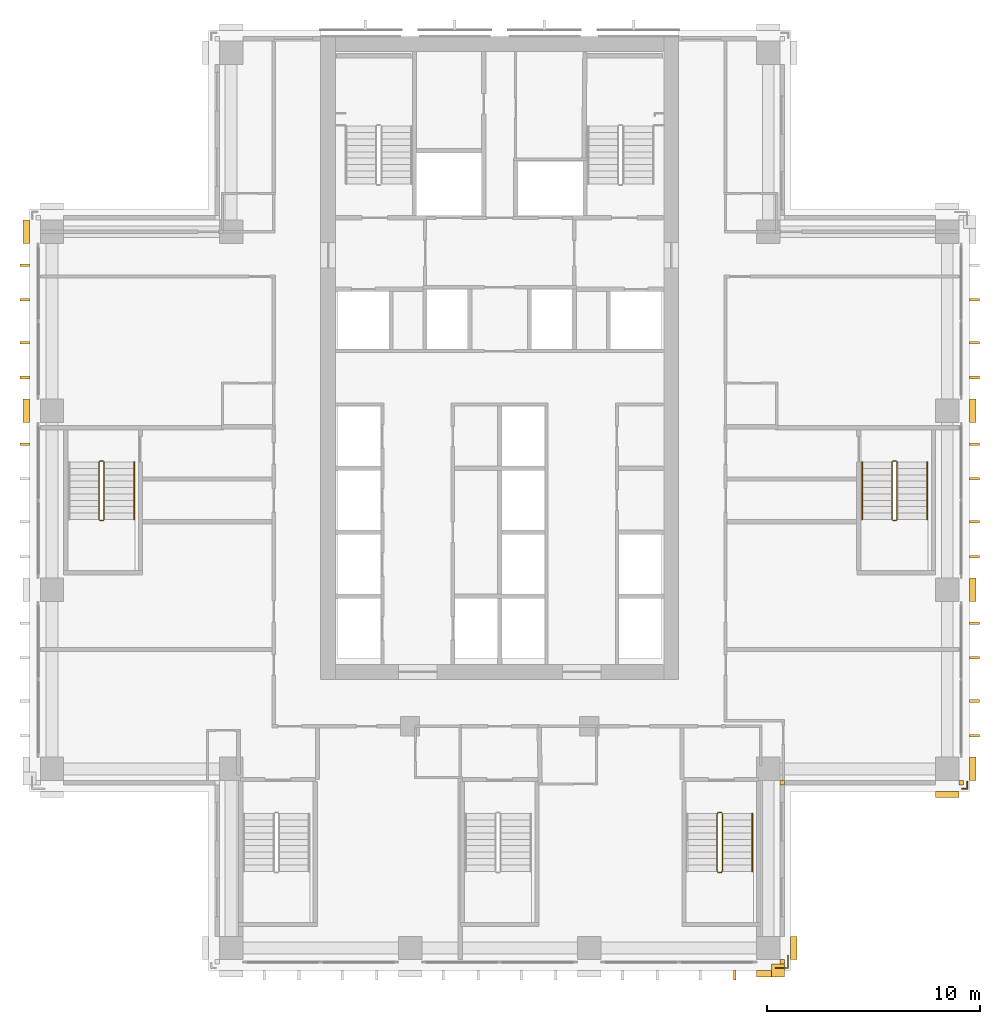
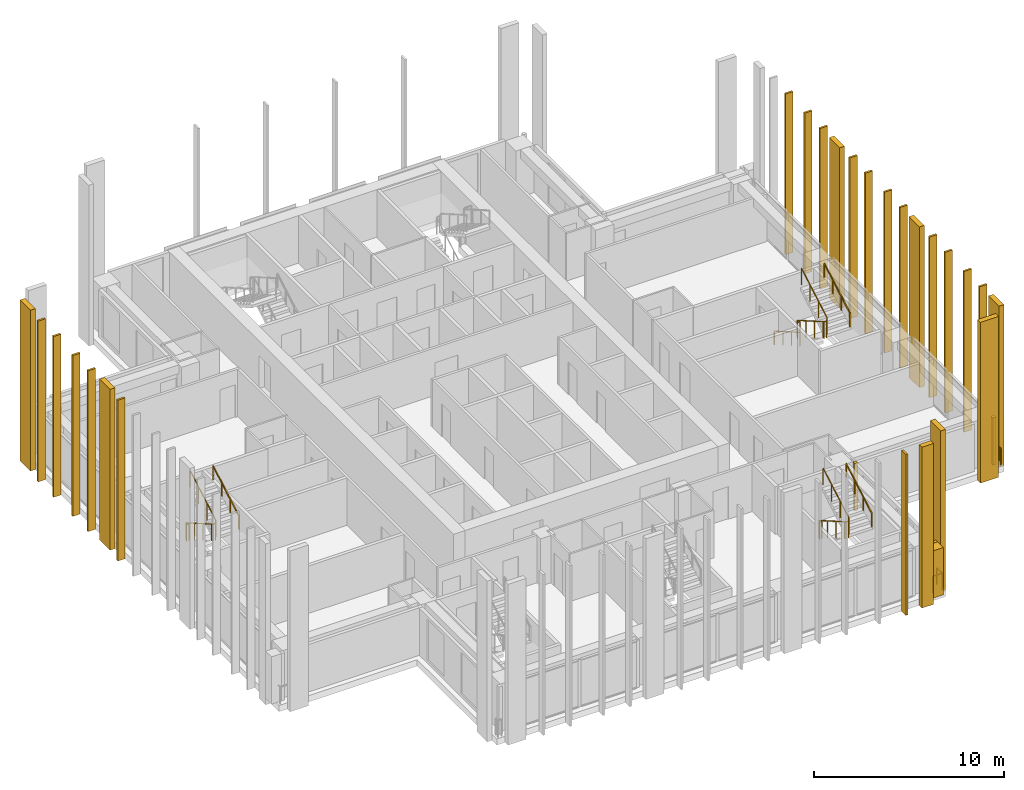
# One storey, part 15 of 16: 29 coverings, 9 railings.
"""IFC4 building model written with IfcOpenShell, lengths in metres."""

from ifc_helpers import new_model, si_unit, direction, frame, origin, origin_2d, place, context, subcontext, project, spatial, polyline, rectangle, outline, extrude, material, layer, layer_set, type_object, element, save


model = new_model("IFC4")

# Units and contexts
model_context = context("Model", 3, precision=1e-05, world=origin(), true_north=direction((0.0, 1.0)))
body_context = subcontext(model_context, "Body", "Model", "MODEL_VIEW")
ifc_project = project(units=[si_unit("LENGTHUNIT", "METRE"), si_unit("AREAUNIT", "SQUARE_METRE"), si_unit("VOLUMEUNIT", "CUBIC_METRE"), si_unit("PLANEANGLEUNIT", "RADIAN"), si_unit("MASSUNIT", "GRAM", prefix="KILO")], contexts=[model_context])

# Site, building, storey
site_placement = place(None, origin())
site = spatial("IfcSite", under=ifc_project, at=site_placement, CompositionType="ELEMENT")
building_placement = place(site_placement, origin())
building = spatial("IfcBuilding", under=site, at=building_placement, Name="Vermilion Ogive Tower", CompositionType="ELEMENT")
storey_placement = place(building_placement, frame((0.0, 0.0, 133.10009765625)))
storey = spatial("IfcBuildingStorey", under=building, at=storey_placement, Name="L33", CompositionType="ELEMENT", Elevation=133.10009765625)

# Coverings
ifc_material_1 = material(Name="Glazed ceramic screen")
ifc_layer = layer(ifc_material_1, 0.14990234375)
ifc_layer_set = layer_set([ifc_layer], Name="Ceramic solar screen fin")
covering_type_1 = type_object("IfcCoveringType", Name="Ceramic solar screen fin", PredefinedType="CLADDING", material=ifc_layer_set)
covering_1_placement = place(storey_placement, frame((0.0, 0.0, -0.400146484375)))
element("IfcCovering", 1, at=covering_1_placement, inside=storey, type_object=covering_type_1, Name="Solar screen blade S022", PredefinedType="CLADDING", context=body_context, shape_type="SweptSolid", body=[
    extrude(outline(polyline([(10.9775390625, -22.5), (11.097412109375, -22.5), (11.097412109375, -22.050048828125), (10.9775390625, -22.050048828125), (10.9775390625, -22.5)])), origin(), (0.0, 0.0, 1.0), 10.35009765625),
])
covering_2_placement = place(storey_placement, frame((0.0, 0.0, -0.400146484375)))
element("IfcCovering", 2, at=covering_2_placement, inside=storey, type_object=covering_type_1, Name="Solar screen blade E971", PredefinedType="CLADDING", context=body_context, shape_type="SweptSolid", body=[
    extrude(outline(polyline([(22.5, -11.097412109375), (22.5, -10.9775390625), (22.050048828125, -10.9775390625), (22.050048828125, -11.097412109375), (22.5, -11.097412109375)])), origin(), (0.0, 0.0, 1.0), 10.35009765625),
])
covering_3_placement = place(storey_placement, frame((0.0, 0.0, -0.400146484375)))
element("IfcCovering", 3, at=covering_3_placement, inside=storey, type_object=covering_type_1, Name="Solar screen blade E972", PredefinedType="CLADDING", context=body_context, shape_type="SweptSolid", body=[
    extrude(outline(polyline([(22.5, -9.472412109375), (22.5, -9.3525390625), (22.050048828125, -9.3525390625), (22.050048828125, -9.472412109375), (22.5, -9.472412109375)])), origin(), (0.0, 0.0, 1.0), 10.35009765625),
])
covering_4_placement = place(storey_placement, frame((0.0, 0.0, -0.400146484375)))
element("IfcCovering", 4, at=covering_4_placement, inside=storey, type_object=covering_type_1, Name="Solar screen blade E981", PredefinedType="CLADDING", context=body_context, shape_type="SweptSolid", body=[
    extrude(outline(polyline([(22.5, -7.447509765625), (22.5, -7.327392578125), (22.050048828125, -7.327392578125), (22.050048828125, -7.447509765625), (22.5, -7.447509765625)])), origin(), (0.0, 0.0, 1.0), 10.35009765625),
])
covering_5_placement = place(storey_placement, frame((0.0, 0.0, -0.400146484375)))
element("IfcCovering", 5, at=covering_5_placement, inside=storey, type_object=covering_type_1, Name="Solar screen blade E982", PredefinedType="CLADDING", context=body_context, shape_type="SweptSolid", body=[
    extrude(outline(polyline([(22.5, -5.822509765625), (22.5, -5.702392578125), (22.050048828125, -5.702392578125), (22.050048828125, -5.822509765625), (22.5, -5.822509765625)])), origin(), (0.0, 0.0, 1.0), 10.35009765625),
])
covering_6_placement = place(storey_placement, frame((0.0, 0.0, -0.400146484375)))
element("IfcCovering", 6, at=covering_6_placement, inside=storey, type_object=covering_type_1, Name="Solar screen blade E991", PredefinedType="CLADDING", context=body_context, shape_type="SweptSolid", body=[
    extrude(outline(polyline([(22.5, -2.697509765625), (22.5, -2.577392578125), (22.050048828125, -2.577392578125), (22.050048828125, -2.697509765625), (22.5, -2.697509765625)])), origin(), (0.0, 0.0, 1.0), 10.35009765625),
])
covering_7_placement = place(storey_placement, frame((0.0, 0.0, -0.400146484375)))
element("IfcCovering", 7, at=covering_7_placement, inside=storey, type_object=covering_type_1, Name="Solar screen blade E992", PredefinedType="CLADDING", context=body_context, shape_type="SweptSolid", body=[
    extrude(outline(polyline([(22.5, -1.072509765625), (22.5, -0.952392578125), (22.050048828125, -0.952392578125), (22.050048828125, -1.072509765625), (22.5, -1.072509765625)])), origin(), (0.0, 0.0, 1.0), 10.35009765625),
])
covering_8_placement = place(storey_placement, frame((0.0, 0.0, -0.400146484375)))
element("IfcCovering", 8, at=covering_8_placement, inside=storey, type_object=covering_type_1, Name="Solar screen blade E001", PredefinedType="CLADDING", context=body_context, shape_type="SweptSolid", body=[
    extrude(outline(polyline([(22.5, 0.952392578125), (22.5, 1.072509765625), (22.050048828125, 1.072509765625), (22.050048828125, 0.952392578125), (22.5, 0.952392578125)])), origin(), (0.0, 0.0, 1.0), 10.35009765625),
])
covering_9_placement = place(storey_placement, frame((0.0, 0.0, -0.400146484375)))
element("IfcCovering", 9, at=covering_9_placement, inside=storey, type_object=covering_type_1, Name="Solar screen blade E002", PredefinedType="CLADDING", context=body_context, shape_type="SweptSolid", body=[
    extrude(outline(polyline([(22.5, 2.577392578125), (22.5, 2.697509765625), (22.050048828125, 2.697509765625), (22.050048828125, 2.577392578125), (22.5, 2.577392578125)])), origin(), (0.0, 0.0, 1.0), 10.35009765625),
])
covering_10_placement = place(storey_placement, frame((0.0, 0.0, -0.400146484375)))
element("IfcCovering", 10, at=covering_10_placement, inside=storey, type_object=covering_type_1, Name="Solar screen blade E011", PredefinedType="CLADDING", context=body_context, shape_type="SweptSolid", body=[
    extrude(outline(polyline([(22.5, 5.702392578125), (22.5, 5.822509765625), (22.050048828125, 5.822509765625), (22.050048828125, 5.702392578125), (22.5, 5.702392578125)])), origin(), (0.0, 0.0, 1.0), 10.35009765625),
])
covering_11_placement = place(storey_placement, frame((0.0, 0.0, -0.400146484375)))
element("IfcCovering", 11, at=covering_11_placement, inside=storey, type_object=covering_type_1, Name="Solar screen blade E012", PredefinedType="CLADDING", context=body_context, shape_type="SweptSolid", body=[
    extrude(outline(polyline([(22.5, 7.327392578125), (22.5, 7.447509765625), (22.050048828125, 7.447509765625), (22.050048828125, 7.327392578125), (22.5, 7.327392578125)])), origin(), (0.0, 0.0, 1.0), 10.35009765625),
])
covering_12_placement = place(storey_placement, frame((0.0, 0.0, -0.400146484375)))
element("IfcCovering", 12, at=covering_12_placement, inside=storey, type_object=covering_type_1, Name="Solar screen blade E021", PredefinedType="CLADDING", context=body_context, shape_type="SweptSolid", body=[
    extrude(outline(polyline([(22.5, 9.3525390625), (22.5, 9.472412109375), (22.050048828125, 9.472412109375), (22.050048828125, 9.3525390625), (22.5, 9.3525390625)])), origin(), (0.0, 0.0, 1.0), 10.35009765625),
])
covering_13_placement = place(storey_placement, frame((0.0, 0.0, -0.400146484375)))
element("IfcCovering", 13, at=covering_13_placement, inside=storey, type_object=covering_type_1, Name="Solar screen blade W011", PredefinedType="CLADDING", context=body_context, shape_type="SweptSolid", body=[
    extrude(outline(polyline([(-22.5, 7.447509765625), (-22.5, 7.327392578125), (-22.050048828125, 7.327392578125), (-22.050048828125, 7.447509765625), (-22.5, 7.447509765625)])), origin(), (0.0, 0.0, 1.0), 10.35009765625),
])
covering_14_placement = place(storey_placement, frame((0.0, 0.0, -0.400146484375)))
element("IfcCovering", 14, at=covering_14_placement, inside=storey, type_object=covering_type_1, Name="Solar screen blade W012", PredefinedType="CLADDING", context=body_context, shape_type="SweptSolid", body=[
    extrude(outline(polyline([(-22.5, 5.822509765625), (-22.5, 5.702392578125), (-22.050048828125, 5.702392578125), (-22.050048828125, 5.822509765625), (-22.5, 5.822509765625)])), origin(), (0.0, 0.0, 1.0), 10.35009765625),
])
covering_15_placement = place(storey_placement, frame((0.0, 0.0, -0.400146484375)))
element("IfcCovering", 15, at=covering_15_placement, inside=storey, type_object=covering_type_1, Name="Solar screen blade W021", PredefinedType="CLADDING", context=body_context, shape_type="SweptSolid", body=[
    extrude(outline(polyline([(-22.5, 11.097412109375), (-22.5, 10.9775390625), (-22.050048828125, 10.9775390625), (-22.050048828125, 11.097412109375), (-22.5, 11.097412109375)])), origin(), (0.0, 0.0, 1.0), 10.35009765625),
])
covering_16_placement = place(storey_placement, frame((0.0, 0.0, -0.400146484375)))
element("IfcCovering", 16, at=covering_16_placement, inside=storey, type_object=covering_type_1, Name="Solar screen blade W022", PredefinedType="CLADDING", context=body_context, shape_type="SweptSolid", body=[
    extrude(outline(polyline([(-22.5, 9.472412109375), (-22.5, 9.3525390625), (-22.050048828125, 9.3525390625), (-22.050048828125, 9.472412109375), (-22.5, 9.472412109375)])), origin(), (0.0, 0.0, 1.0), 10.35009765625),
])
covering_17_placement = place(storey_placement, frame((0.0, 0.0, -0.400146484375)))
element("IfcCovering", 17, at=covering_17_placement, inside=storey, type_object=covering_type_1, Name="Solar screen blade W001", PredefinedType="CLADDING", context=body_context, shape_type="SweptSolid", body=[
    extrude(outline(polyline([(-22.5, 2.697509765625), (-22.5, 2.577392578125), (-22.050048828125, 2.577392578125), (-22.050048828125, 2.697509765625), (-22.5, 2.697509765625)])), origin(), (0.0, 0.0, 1.0), 10.35009765625),
])

# Railings
ifc_material_2 = material(Name="Stainless steel", Category="steel")
railing_type_1 = type_object("IfcRailingType", Name="Slab edge guard SG1", PredefinedType="GUARDRAIL", material=ifc_material_2)
railing_1_placement = place(storey_placement, frame((21.929931640625, -13.199951171875, 0.0)))
element("IfcRailing", 18, at=railing_1_placement, inside=storey, type_object=railing_type_1, Name="L33 slab corner guard", PredefinedType="GUARDRAIL", context=body_context, shape_type="SweptSolid", body=[
    extrude(rectangle(XDim=0.050048828125, YDim=0.050048828125, at=origin_2d()), frame((0.0, 0.0, 1.0751953125), z_axis=(0.0, -1.0, 0.0), x_axis=(1.0, 0.0, 0.0)), (0.0, 0.0, 1.0), 0.330078125),
    extrude(rectangle(XDim=0.050048828125, YDim=0.050048828125, at=origin_2d()), frame((0.0, -0.330078125, 1.0751953125), z_axis=(-1.0, 0.0, 0.0), x_axis=(0.0, -1.0, 0.0)), (0.0, 0.0, 1.0), 0.22998046875),
    extrude(rectangle(XDim=0.050048828125, YDim=0.050048828125, at=origin_2d()), origin(), (0.0, 0.0, 1.0), 1.050048828125),
    extrude(rectangle(XDim=0.050048828125, YDim=0.050048828125, at=origin_2d()), frame((0.0, -0.330078125, 0.0)), (0.0, 0.0, 1.0), 1.050048828125),
    extrude(rectangle(XDim=0.050048828125, YDim=0.050048828125, at=origin_2d()), frame((-0.22998046875, -0.330078125, 0.0)), (0.0, 0.0, 1.0), 1.050048828125),
])
railing_2_placement = place(storey_placement, frame((12.949951171875, -21.929931640625, 0.0)))
element("IfcRailing", 19, at=railing_2_placement, inside=storey, type_object=railing_type_1, Name="L33 slab corner guard", PredefinedType="GUARDRAIL", context=body_context, shape_type="SweptSolid", body=[
    extrude(rectangle(XDim=0.050048828125, YDim=0.050048828125, at=origin_2d()), frame((0.0, 0.0, 1.0751953125), z_axis=(1.0, 0.0, 0.0), x_axis=(0.0, 1.0, 0.0)), (0.0, 0.0, 1.0), 0.580078125),
    extrude(rectangle(XDim=0.050048828125, YDim=0.050048828125, at=origin_2d()), frame((0.580078125, 0.0, 1.0751953125), z_axis=(0.0, 1.0, 0.0), x_axis=(-1.0, 0.0, 0.0)), (0.0, 0.0, 1.0), 0.579833984375),
    extrude(rectangle(XDim=0.050048828125, YDim=0.050048828125, at=origin_2d()), origin(), (0.0, 0.0, 1.0), 1.050048828125),
    extrude(rectangle(XDim=0.050048828125, YDim=0.050048828125, at=origin_2d()), frame((0.580078125, 0.0, 0.0)), (0.0, 0.0, 1.0), 1.050048828125),
    extrude(rectangle(XDim=0.050048828125, YDim=0.050048828125, at=origin_2d()), frame((0.580078125, 0.579833984375, 0.0)), (0.0, 0.0, 1.0), 1.050048828125),
])
ifc_material_3 = material(Name="Steel S355 painted", Category="steel")
railing_type_2 = type_object("IfcRailingType", Name="Stair guard 1100", PredefinedType="GUARDRAIL", material=ifc_material_3)
railing_3_placement = place(storey_placement, frame((10.39990234375, -14.64990234375, 0.0)))
element("IfcRailing", 20, at=railing_3_placement, inside=storey, type_object=railing_type_2, Name="L33 ST5 stair guard 4", PredefinedType="GUARDRAIL", context=body_context, shape_type="SweptSolid", body=[
    extrude(rectangle(XDim=0.048095703125, YDim=0.048095703125, at=origin_2d()), frame((0.0, 0.0, 1.076171875), z_axis=(-1.0, 0.0, 0.0), x_axis=(0.0, -1.0, 0.0)), (0.0, 0.0, 1.0), 0.14990234375),
    extrude(rectangle(XDim=0.048095703125, YDim=0.048095703125, at=origin_2d()), frame((-0.14990234375, 0.0, 1.076171875), z_axis=(-0.268603158521, -0.268603158521, 0.925043072762), x_axis=(0.707106781187, -0.707106781187, 0.0)), (0.0, 0.0, 1.0), 0.186279296875),
    extrude(rectangle(XDim=0.048095703125, YDim=0.048095703125, at=origin_2d()), frame((-0.199951171875, -0.050048828125, 1.24853515625), z_axis=(0.0, -0.866903762492, 0.498475542607), x_axis=(1.0, 0.0, 0.0)), (0.0, 0.0, 1.0), 3.114501953125),
    extrude(rectangle(XDim=0.048095703125, YDim=0.048095703125, at=origin_2d()), frame((-0.199951171875, -2.75, 2.80078125), z_axis=(0.707106781187, -0.707106781187, 0.0), x_axis=(0.707106781187, 0.707106781187, 0.0)), (0.0, 0.0, 1.0), 0.07080078125),
    extrude(rectangle(XDim=0.048095703125, YDim=0.048095703125, at=origin_2d()), frame((-0.14990234375, -2.800048828125, 2.80078125), z_axis=(1.0, 0.0, 0.0), x_axis=(0.0, 1.0, 0.0)), (0.0, 0.0, 1.0), 0.14990234375),
    extrude(rectangle(XDim=0.048095703125, YDim=0.048095703125, at=origin_2d()), frame((0.0, -2.800048828125, 2.80078125), z_axis=(0.268277960024, 0.268277960024, 0.925231793839), x_axis=(-0.707106781187, 0.707106781187, 0.0)), (0.0, 0.0, 1.0), 0.1865234375),
    extrude(rectangle(XDim=0.048095703125, YDim=0.048095703125, at=origin_2d()), frame((0.050048828125, -2.75, 2.9736328125), z_axis=(0.0, 0.866903762492, 0.498475542607), x_axis=(-1.0, 0.0, 0.0)), (0.0, 0.0, 1.0), 3.114501953125),
    extrude(rectangle(XDim=0.0419921875, YDim=0.0419921875, at=origin_2d()), origin(), (0.0, 0.0, 1.0), 1.052001953125),
    extrude(rectangle(XDim=0.0419921875, YDim=0.0419921875, at=origin_2d()), frame((-0.14990234375, 0.0, 0.0)), (0.0, 0.0, 1.0), 1.052001953125),
    extrude(rectangle(XDim=0.0419921875, YDim=0.0419921875, at=origin_2d()), frame((-0.199951171875, -0.050048828125, 0.17236328125)), (0.0, 0.0, 1.0), 1.052001953125),
    extrude(rectangle(XDim=0.0419921875, YDim=0.0419921875, at=origin_2d()), frame((-0.199951171875, -0.949951171875, 0.68994140625)), (0.0, 0.0, 1.0), 1.052001953125),
    extrude(rectangle(XDim=0.0419921875, YDim=0.0419921875, at=origin_2d()), frame((-0.199951171875, -1.85009765625, 1.207275390625)), (0.0, 0.0, 1.0), 1.052001953125),
    extrude(rectangle(XDim=0.0419921875, YDim=0.0419921875, at=origin_2d()), frame((-0.199951171875, -2.75, 1.724853515625)), (0.0, 0.0, 1.0), 1.052001953125),
    extrude(rectangle(XDim=0.0419921875, YDim=0.0419921875, at=origin_2d()), frame((-0.14990234375, -2.800048828125, 1.724853515625)), (0.0, 0.0, 1.0), 1.052001953125),
    extrude(rectangle(XDim=0.0419921875, YDim=0.0419921875, at=origin_2d()), frame((0.0, -2.800048828125, 1.724853515625)), (0.0, 0.0, 1.0), 1.052001953125),
    extrude(rectangle(XDim=0.0419921875, YDim=0.0419921875, at=origin_2d()), frame((0.050048828125, -2.75, 1.8974609375)), (0.0, 0.0, 1.0), 1.052001953125),
    extrude(rectangle(XDim=0.0419921875, YDim=0.0419921875, at=origin_2d()), frame((0.050048828125, -1.85009765625, 2.4150390625)), (0.0, 0.0, 1.0), 1.052001953125),
    extrude(rectangle(XDim=0.0419921875, YDim=0.0419921875, at=origin_2d()), frame((0.050048828125, -0.949951171875, 2.932373046875)), (0.0, 0.0, 1.0), 1.052001953125),
    extrude(rectangle(XDim=0.0419921875, YDim=0.0419921875, at=origin_2d()), frame((0.050048828125, -0.050048828125, 3.449951171875)), (0.0, 0.0, 1.0), 1.052001953125),
])
railing_4_placement = place(storey_placement, frame((18.60009765625, 1.85009765625, 0.0)))
element("IfcRailing", 21, at=railing_4_placement, inside=storey, type_object=railing_type_2, Name="L33 ST8 stair guard 4", PredefinedType="GUARDRAIL", context=body_context, shape_type="SweptSolid", body=[
    extrude(rectangle(XDim=0.048095703125, YDim=0.048095703125, at=origin_2d()), frame((0.0, 0.0, 1.076171875), z_axis=(-1.0, 0.0, 0.0), x_axis=(0.0, -1.0, 0.0)), (0.0, 0.0, 1.0), 0.150146484375),
    extrude(rectangle(XDim=0.048095703125, YDim=0.048095703125, at=origin_2d()), frame((-0.150146484375, 0.0, 1.076171875), z_axis=(-0.268603158521, -0.268603158521, 0.925043072762), x_axis=(0.707106781187, -0.707106781187, 0.0)), (0.0, 0.0, 1.0), 0.186279296875),
    extrude(rectangle(XDim=0.048095703125, YDim=0.048095703125, at=origin_2d()), frame((-0.2001953125, -0.050048828125, 1.24853515625), z_axis=(0.0, -0.866903762492, 0.498475542607), x_axis=(1.0, 0.0, 0.0)), (0.0, 0.0, 1.0), 3.114501953125),
    extrude(rectangle(XDim=0.048095703125, YDim=0.048095703125, at=origin_2d()), frame((-0.2001953125, -2.75, 2.80078125), z_axis=(0.707106781187, -0.707106781187, 0.0), x_axis=(0.707106781187, 0.707106781187, 0.0)), (0.0, 0.0, 1.0), 0.07080078125),
    extrude(rectangle(XDim=0.048095703125, YDim=0.048095703125, at=origin_2d()), frame((-0.150146484375, -2.800048828125, 2.80078125), z_axis=(1.0, 0.0, 0.0), x_axis=(0.0, 1.0, 0.0)), (0.0, 0.0, 1.0), 0.150146484375),
    extrude(rectangle(XDim=0.048095703125, YDim=0.048095703125, at=origin_2d()), frame((0.0, -2.800048828125, 2.80078125), z_axis=(0.267062837333, 0.268371968888, 0.925556009775), x_axis=(-0.708833529934, 0.705375805398, 0.0)), (0.0, 0.0, 1.0), 0.1865234375),
    extrude(rectangle(XDim=0.048095703125, YDim=0.048095703125, at=origin_2d()), frame((0.0498046875, -2.75, 2.9736328125), z_axis=(0.0, 0.866903762492, 0.498475542607), x_axis=(-1.0, 0.0, 0.0)), (0.0, 0.0, 1.0), 3.114501953125),
    extrude(rectangle(XDim=0.0419921875, YDim=0.0419921875, at=origin_2d()), origin(), (0.0, 0.0, 1.0), 1.052001953125),
    extrude(rectangle(XDim=0.0419921875, YDim=0.0419921875, at=origin_2d()), frame((-0.150146484375, 0.0, 0.0)), (0.0, 0.0, 1.0), 1.052001953125),
    extrude(rectangle(XDim=0.0419921875, YDim=0.0419921875, at=origin_2d()), frame((-0.2001953125, -0.050048828125, 0.17236328125)), (0.0, 0.0, 1.0), 1.052001953125),
    extrude(rectangle(XDim=0.0419921875, YDim=0.0419921875, at=origin_2d()), frame((-0.2001953125, -0.949951171875, 0.68994140625)), (0.0, 0.0, 1.0), 1.052001953125),
    extrude(rectangle(XDim=0.0419921875, YDim=0.0419921875, at=origin_2d()), frame((-0.2001953125, -1.85009765625, 1.207275390625)), (0.0, 0.0, 1.0), 1.052001953125),
    extrude(rectangle(XDim=0.0419921875, YDim=0.0419921875, at=origin_2d()), frame((-0.2001953125, -2.75, 1.724853515625)), (0.0, 0.0, 1.0), 1.052001953125),
    extrude(rectangle(XDim=0.0419921875, YDim=0.0419921875, at=origin_2d()), frame((-0.150146484375, -2.800048828125, 1.724853515625)), (0.0, 0.0, 1.0), 1.052001953125),
    extrude(rectangle(XDim=0.0419921875, YDim=0.0419921875, at=origin_2d()), frame((0.0, -2.800048828125, 1.724853515625)), (0.0, 0.0, 1.0), 1.052001953125),
    extrude(rectangle(XDim=0.0419921875, YDim=0.0419921875, at=origin_2d()), frame((0.0498046875, -2.75, 1.8974609375)), (0.0, 0.0, 1.0), 1.052001953125),
    extrude(rectangle(XDim=0.0419921875, YDim=0.0419921875, at=origin_2d()), frame((0.0498046875, -1.85009765625, 2.4150390625)), (0.0, 0.0, 1.0), 1.052001953125),
    extrude(rectangle(XDim=0.0419921875, YDim=0.0419921875, at=origin_2d()), frame((0.0498046875, -0.949951171875, 2.932373046875)), (0.0, 0.0, 1.0), 1.052001953125),
    extrude(rectangle(XDim=0.0419921875, YDim=0.0419921875, at=origin_2d()), frame((0.0498046875, -0.050048828125, 3.449951171875)), (0.0, 0.0, 1.0), 1.052001953125),
])
railing_5_placement = place(storey_placement, frame((-18.60009765625, 1.85009765625, 0.0)))
element("IfcRailing", 22, at=railing_5_placement, inside=storey, type_object=railing_type_2, Name="L33 ST9 stair guard 4", PredefinedType="GUARDRAIL", context=body_context, shape_type="SweptSolid", body=[
    extrude(rectangle(XDim=0.048095703125, YDim=0.048095703125, at=origin_2d()), frame((0.0, 0.0, 1.076171875), z_axis=(-1.0, 0.0, 0.0), x_axis=(0.0, -1.0, 0.0)), (0.0, 0.0, 1.0), 0.14990234375),
    extrude(rectangle(XDim=0.048095703125, YDim=0.048095703125, at=origin_2d()), frame((-0.14990234375, 0.0, 1.076171875), z_axis=(-0.268603158521, -0.268603158521, 0.925043072762), x_axis=(0.707106781187, -0.707106781187, 0.0)), (0.0, 0.0, 1.0), 0.186279296875),
    extrude(rectangle(XDim=0.048095703125, YDim=0.048095703125, at=origin_2d()), frame((-0.199951171875, -0.050048828125, 1.24853515625), z_axis=(0.0, -0.866903762492, 0.498475542607), x_axis=(1.0, 0.0, 0.0)), (0.0, 0.0, 1.0), 3.114501953125),
    extrude(rectangle(XDim=0.048095703125, YDim=0.048095703125, at=origin_2d()), frame((-0.199951171875, -2.75, 2.80078125), z_axis=(0.707106781187, -0.707106781187, 0.0), x_axis=(0.707106781187, 0.707106781187, 0.0)), (0.0, 0.0, 1.0), 0.07080078125),
    extrude(rectangle(XDim=0.048095703125, YDim=0.048095703125, at=origin_2d()), frame((-0.14990234375, -2.800048828125, 2.80078125), z_axis=(1.0, 0.0, 0.0), x_axis=(0.0, 1.0, 0.0)), (0.0, 0.0, 1.0), 0.14990234375),
    extrude(rectangle(XDim=0.048095703125, YDim=0.048095703125, at=origin_2d()), frame((0.0, -2.800048828125, 2.80078125), z_axis=(0.268277960024, 0.268277960024, 0.925231793839), x_axis=(-0.707106781187, 0.707106781187, 0.0)), (0.0, 0.0, 1.0), 0.1865234375),
    extrude(rectangle(XDim=0.048095703125, YDim=0.048095703125, at=origin_2d()), frame((0.050048828125, -2.75, 2.9736328125), z_axis=(0.0, 0.866903762492, 0.498475542607), x_axis=(-1.0, 0.0, 0.0)), (0.0, 0.0, 1.0), 3.114501953125),
    extrude(rectangle(XDim=0.0419921875, YDim=0.0419921875, at=origin_2d()), origin(), (0.0, 0.0, 1.0), 1.052001953125),
    extrude(rectangle(XDim=0.0419921875, YDim=0.0419921875, at=origin_2d()), frame((-0.14990234375, 0.0, 0.0)), (0.0, 0.0, 1.0), 1.052001953125),
    extrude(rectangle(XDim=0.0419921875, YDim=0.0419921875, at=origin_2d()), frame((-0.199951171875, -0.050048828125, 0.17236328125)), (0.0, 0.0, 1.0), 1.052001953125),
    extrude(rectangle(XDim=0.0419921875, YDim=0.0419921875, at=origin_2d()), frame((-0.199951171875, -0.949951171875, 0.68994140625)), (0.0, 0.0, 1.0), 1.052001953125),
    extrude(rectangle(XDim=0.0419921875, YDim=0.0419921875, at=origin_2d()), frame((-0.199951171875, -1.85009765625, 1.207275390625)), (0.0, 0.0, 1.0), 1.052001953125),
    extrude(rectangle(XDim=0.0419921875, YDim=0.0419921875, at=origin_2d()), frame((-0.199951171875, -2.75, 1.724853515625)), (0.0, 0.0, 1.0), 1.052001953125),
    extrude(rectangle(XDim=0.0419921875, YDim=0.0419921875, at=origin_2d()), frame((-0.14990234375, -2.800048828125, 1.724853515625)), (0.0, 0.0, 1.0), 1.052001953125),
    extrude(rectangle(XDim=0.0419921875, YDim=0.0419921875, at=origin_2d()), frame((0.0, -2.800048828125, 1.724853515625)), (0.0, 0.0, 1.0), 1.052001953125),
    extrude(rectangle(XDim=0.0419921875, YDim=0.0419921875, at=origin_2d()), frame((0.050048828125, -2.75, 1.8974609375)), (0.0, 0.0, 1.0), 1.052001953125),
    extrude(rectangle(XDim=0.0419921875, YDim=0.0419921875, at=origin_2d()), frame((0.050048828125, -1.85009765625, 2.4150390625)), (0.0, 0.0, 1.0), 1.052001953125),
    extrude(rectangle(XDim=0.0419921875, YDim=0.0419921875, at=origin_2d()), frame((0.050048828125, -0.949951171875, 2.932373046875)), (0.0, 0.0, 1.0), 1.052001953125),
    extrude(rectangle(XDim=0.0419921875, YDim=0.0419921875, at=origin_2d()), frame((0.050048828125, -0.050048828125, 3.449951171875)), (0.0, 0.0, 1.0), 1.052001953125),
])
ifc_material_4 = material(Name="Stainless steel", Category="steel")
railing_type_3 = type_object("IfcRailingType", Name="Stair handrail 900", PredefinedType="HANDRAIL", material=ifc_material_4)
railing_6_placement = place(storey_placement, frame((11.85009765625, -17.39990234375, 1.8974609375)))
element("IfcRailing", 23, at=railing_6_placement, inside=storey, type_object=railing_type_3, Name="L33 ST5 stair handrail 2", PredefinedType="HANDRAIL", context=body_context, shape_type="SweptSolid", body=[
    extrude(rectangle(XDim=0.048095703125, YDim=0.048095703125, at=origin_2d()), frame((0.0, 0.0, 0.8759765625), z_axis=(0.0, 0.866903762492, 0.498475542607), x_axis=(-1.0, 0.0, 0.0)), (0.0, 0.0, 1.0), 3.114501953125),
    extrude(rectangle(XDim=0.0419921875, YDim=0.0419921875, at=origin_2d()), origin(), (0.0, 0.0, 1.0), 0.851806640625),
    extrude(rectangle(XDim=0.0419921875, YDim=0.0419921875, at=origin_2d()), frame((0.0, 0.89990234375, 0.517578125)), (0.0, 0.0, 1.0), 0.851806640625),
    extrude(rectangle(XDim=0.0419921875, YDim=0.0419921875, at=origin_2d()), frame((0.0, 1.800048828125, 1.034912109375)), (0.0, 0.0, 1.0), 0.851806640625),
    extrude(rectangle(XDim=0.0419921875, YDim=0.0419921875, at=origin_2d()), frame((0.0, 2.699951171875, 1.552490234375)), (0.0, 0.0, 1.0), 0.851806640625),
])
railing_7_placement = place(storey_placement, frame((17.0, 1.800048828125, 0.17236328125)))
element("IfcRailing", 24, at=railing_7_placement, inside=storey, type_object=railing_type_3, Name="L33 ST8 stair handrail 1", PredefinedType="HANDRAIL", context=body_context, shape_type="SweptSolid", body=[
    extrude(rectangle(XDim=0.048095703125, YDim=0.048095703125, at=origin_2d()), frame((0.0, 0.0, 0.8759765625), z_axis=(0.0, -0.866903762492, 0.498475542607), x_axis=(1.0, 0.0, 0.0)), (0.0, 0.0, 1.0), 3.114501953125),
    extrude(rectangle(XDim=0.0419921875, YDim=0.0419921875, at=origin_2d()), origin(), (0.0, 0.0, 1.0), 0.851806640625),
    extrude(rectangle(XDim=0.0419921875, YDim=0.0419921875, at=origin_2d()), frame((0.0, -0.89990234375, 0.517578125)), (0.0, 0.0, 1.0), 0.851806640625),
    extrude(rectangle(XDim=0.0419921875, YDim=0.0419921875, at=origin_2d()), frame((0.0, -1.800048828125, 1.034912109375)), (0.0, 0.0, 1.0), 0.851806640625),
    extrude(rectangle(XDim=0.0419921875, YDim=0.0419921875, at=origin_2d()), frame((0.0, -2.699951171875, 1.552490234375)), (0.0, 0.0, 1.0), 0.851806640625),
])
for number, where, name in (
    (25, (20.050048828125, -0.89990234375, 1.8974609375), "L33 ST8 stair handrail 2"),
    (26, (-17.14990234375, -0.89990234375, 1.8974609375), "L33 ST9 stair handrail 2"),
):
    element("IfcRailing", number, at=place(storey_placement, frame(where)), inside=storey, type_object=railing_type_3, Name=name, PredefinedType="HANDRAIL", context=body_context, shape_type="SweptSolid", body=[
        extrude(rectangle(XDim=0.048095703125, YDim=0.048095703125, at=origin_2d()), frame((0.0, 0.0, 0.8759765625), z_axis=(0.0, 0.866903762492, 0.498475542607), x_axis=(-1.0, 0.0, 0.0)), (0.0, 0.0, 1.0), 3.114501953125),
        extrude(rectangle(XDim=0.0419921875, YDim=0.0419921875, at=origin_2d()), origin(), (0.0, 0.0, 1.0), 0.851806640625),
        extrude(rectangle(XDim=0.0419921875, YDim=0.0419921875, at=origin_2d()), frame((0.0, 0.89990234375, 0.517578125)), (0.0, 0.0, 1.0), 0.851806640625),
        extrude(rectangle(XDim=0.0419921875, YDim=0.0419921875, at=origin_2d()), frame((0.0, 1.800048828125, 1.034912109375)), (0.0, 0.0, 1.0), 0.851806640625),
        extrude(rectangle(XDim=0.0419921875, YDim=0.0419921875, at=origin_2d()), frame((0.0, 2.699951171875, 1.552490234375)), (0.0, 0.0, 1.0), 0.851806640625),
    ])

# Coverings
ifc_material_5 = material(Name="Stone cladding", Category="masonry")
covering_type_2 = type_object("IfcCoveringType", Name="Stone corner buttress", PredefinedType="CLADDING", material=ifc_material_5)
covering_18_placement = place(storey_placement, origin())
element("IfcCovering", 27, at=covering_18_placement, inside=storey, type_object=covering_type_2, Name="Stone crease pier SK", PredefinedType="CLADDING", context=body_context, shape_type="SweptSolid", body=[
    extrude(outline(polyline([(12.75, -22.35009765625), (13.35009765625, -22.35009765625), (13.35009765625, -21.75), (12.75, -21.75), (12.75, -22.35009765625)])), origin(), (0.0, 0.0, 1.0), 3.0498046875),
])
ifc_material_6 = material(Name="Stone cladding", Category="masonry")
covering_type_3 = type_object("IfcCoveringType", Name="Stone pier", PredefinedType="CLADDING", material=ifc_material_6)
covering_19_placement = place(storey_placement, origin())
element("IfcCovering", 28, at=covering_19_placement, inside=storey, type_object=covering_type_3, Name="Stone corner pier SE1", PredefinedType="CLADDING", context=body_context, shape_type="SweptSolid", body=[
    extrude(outline(polyline([(13.14990234375, -21.75), (13.14990234375, -21.550048828125), (13.35009765625, -21.550048828125), (13.35009765625, -21.75), (13.14990234375, -21.75)])), origin(), (0.0, 0.0, 1.0), 3.0498046875),
])
covering_20_placement = place(storey_placement, origin())
element("IfcCovering", 29, at=covering_20_placement, inside=storey, type_object=covering_type_3, Name="Stone corner pier X1E1", PredefinedType="CLADDING", context=body_context, shape_type="SweptSolid", body=[
    extrude(outline(polyline([(13.14990234375, -13.14990234375), (13.35009765625, -13.14990234375), (13.35009765625, -13.35009765625), (13.14990234375, -13.35009765625), (13.14990234375, -13.14990234375)])), origin(), (0.0, 0.0, 1.0), 3.0498046875),
])
covering_21_placement = place(storey_placement, origin())
element("IfcCovering", 30, at=covering_21_placement, inside=storey, type_object=covering_type_3, Name="Stone corner pier X2E1", PredefinedType="CLADDING", context=body_context, shape_type="SweptSolid", body=[
    extrude(outline(polyline([(21.550048828125, -13.35009765625), (21.550048828125, -13.14990234375), (21.75, -13.14990234375), (21.75, -13.35009765625), (21.550048828125, -13.35009765625)])), origin(), (0.0, 0.0, 1.0), 3.0498046875),
])
covering_22_placement = place(storey_placement, frame((0.0, 0.0, -0.400146484375)))
element("IfcCovering", 31, at=covering_22_placement, inside=storey, type_object=covering_type_3, Name="Stone pier P+0126-210S", PredefinedType="CLADDING", context=body_context, shape_type="SweptSolid", body=[
    extrude(outline(polyline([(12.050048828125, -22.35009765625), (12.050048828125, -22.050048828125), (12.75, -22.050048828125), (12.75, -22.35009765625), (12.050048828125, -22.35009765625)])), origin(), (0.0, 0.0, 1.0), 10.35009765625),
])
covering_23_placement = place(storey_placement, frame((0.0, 0.0, -0.400146484375)))
element("IfcCovering", 32, at=covering_23_placement, inside=storey, type_object=covering_type_3, Name="Stone pier P+0126-210X1", PredefinedType="CLADDING", context=body_context, shape_type="SweptSolid", body=[
    extrude(outline(polyline([(13.949951171875, -21.550048828125), (13.64990234375, -21.550048828125), (13.64990234375, -20.449951171875), (13.949951171875, -20.449951171875), (13.949951171875, -21.550048828125)])), origin(), (0.0, 0.0, 1.0), 10.35009765625),
])
covering_24_placement = place(storey_placement, frame((0.0, 0.0, -0.400146484375)))
element("IfcCovering", 33, at=covering_24_placement, inside=storey, type_object=covering_type_3, Name="Stone pier P+0210+042", PredefinedType="CLADDING", context=body_context, shape_type="SweptSolid", body=[
    extrude(outline(polyline([(22.35009765625, 4.75), (22.35009765625, 3.64990234375), (22.050048828125, 3.64990234375), (22.050048828125, 4.75), (22.35009765625, 4.75)])), origin(), (0.0, 0.0, 1.0), 10.35009765625),
])
covering_25_placement = place(storey_placement, frame((0.0, 0.0, -0.400146484375)))
element("IfcCovering", 34, at=covering_25_placement, inside=storey, type_object=covering_type_3, Name="Stone pier P+0210-042", PredefinedType="CLADDING", context=body_context, shape_type="SweptSolid", body=[
    extrude(outline(polyline([(22.35009765625, -3.64990234375), (22.35009765625, -4.75), (22.050048828125, -4.75), (22.050048828125, -3.64990234375), (22.35009765625, -3.64990234375)])), origin(), (0.0, 0.0, 1.0), 10.35009765625),
])
covering_26_placement = place(storey_placement, frame((0.0, 0.0, -0.400146484375)))
element("IfcCovering", 35, at=covering_26_placement, inside=storey, type_object=covering_type_3, Name="Stone pier P+0210-126X2", PredefinedType="CLADDING", context=body_context, shape_type="SweptSolid", body=[
    extrude(outline(polyline([(21.550048828125, -13.949951171875), (20.449951171875, -13.949951171875), (20.449951171875, -13.64990234375), (21.550048828125, -13.64990234375), (21.550048828125, -13.949951171875)])), origin(), (0.0, 0.0, 1.0), 10.35009765625),
])
covering_27_placement = place(storey_placement, frame((0.0, 0.0, -0.400146484375)))
element("IfcCovering", 36, at=covering_27_placement, inside=storey, type_object=covering_type_3, Name="Stone pier P+0210-126E", PredefinedType="CLADDING", context=body_context, shape_type="SweptSolid", body=[
    extrude(outline(polyline([(22.35009765625, -13.14990234375), (22.050048828125, -13.14990234375), (22.050048828125, -12.050048828125), (22.35009765625, -12.050048828125), (22.35009765625, -13.14990234375)])), origin(), (0.0, 0.0, 1.0), 10.35009765625),
])
covering_28_placement = place(storey_placement, frame((0.0, 0.0, -0.400146484375)))
element("IfcCovering", 37, at=covering_28_placement, inside=storey, type_object=covering_type_3, Name="Stone pier P-0210+042", PredefinedType="CLADDING", context=body_context, shape_type="SweptSolid", body=[
    extrude(outline(polyline([(-22.35009765625, 3.64990234375), (-22.35009765625, 4.75), (-22.050048828125, 4.75), (-22.050048828125, 3.64990234375), (-22.35009765625, 3.64990234375)])), origin(), (0.0, 0.0, 1.0), 10.35009765625),
])
covering_29_placement = place(storey_placement, frame((0.0, 0.0, -0.400146484375)))
element("IfcCovering", 38, at=covering_29_placement, inside=storey, type_object=covering_type_3, Name="Stone pier P-0210+126W", PredefinedType="CLADDING", context=body_context, shape_type="SweptSolid", body=[
    extrude(outline(polyline([(-22.35009765625, 13.14990234375), (-22.050048828125, 13.14990234375), (-22.050048828125, 12.050048828125), (-22.35009765625, 12.050048828125), (-22.35009765625, 13.14990234375)])), origin(), (0.0, 0.0, 1.0), 10.35009765625),
])

save(model, "model.ifc")
